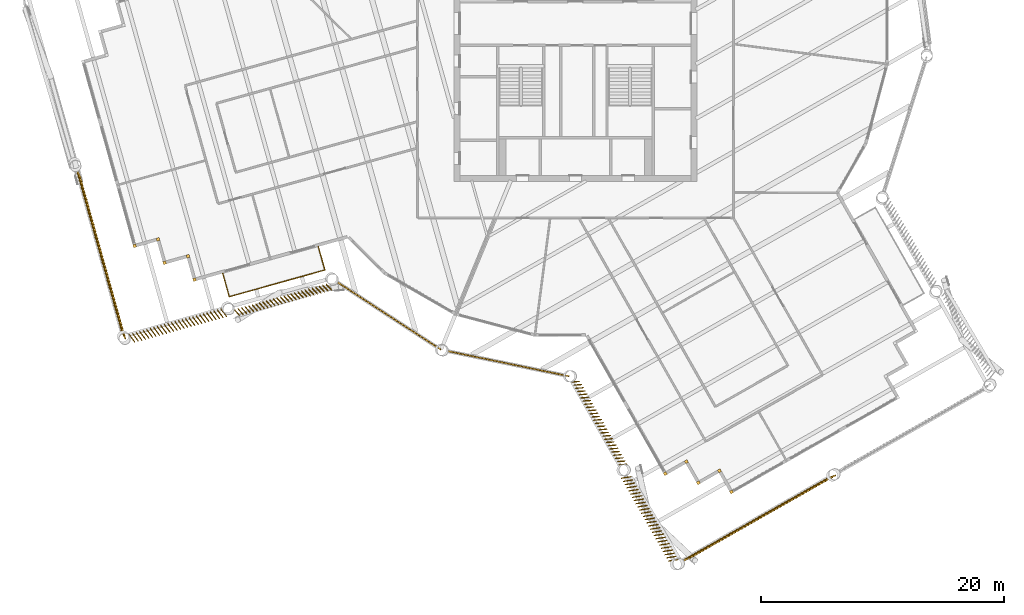
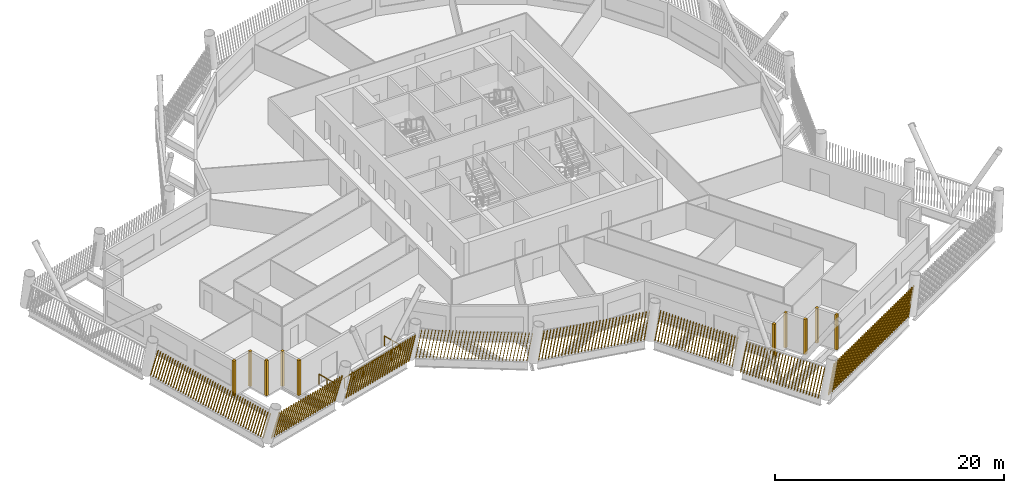
# One storey, part 17 of 21: 18 shading devices, 1 railing.
"""IFC4 building model written with IfcOpenShell, lengths in metres."""

from ifc_helpers import new_model, si_unit, direction, frame, frame_2d, origin, origin_2d, place, context, subcontext, project, spatial, rectangle, circle, composite_profile, extrude, material, type_object, element, save


model = new_model("IFC4")

# Units and contexts
model_context = context("Model", 3, precision=1e-05, world=origin(), true_north=direction((0.0, 1.0)))
body_context = subcontext(model_context, "Body", "Model", "MODEL_VIEW")
ifc_project = project(units=[si_unit("LENGTHUNIT", "METRE"), si_unit("AREAUNIT", "SQUARE_METRE"), si_unit("VOLUMEUNIT", "CUBIC_METRE"), si_unit("PLANEANGLEUNIT", "RADIAN"), si_unit("MASSUNIT", "GRAM", prefix="KILO")], contexts=[model_context])

# Site, building, storey
site_placement = place(None, origin())
site = spatial("IfcSite", under=ifc_project, at=site_placement, CompositionType="ELEMENT")
building_placement = place(site_placement, origin())
building = spatial("IfcBuilding", under=site, at=building_placement, Name="Tarsis Ring Headquarters", CompositionType="ELEMENT")
storey_placement = place(building_placement, frame((0.0, 0.0, 347.0)))
storey = spatial("IfcBuildingStorey", under=building, at=storey_placement, Name="L82", CompositionType="ELEMENT", Elevation=347.0)

# Railing
ifc_material_1 = material(Name="Stainless steel guard", Category="steel")
railing_type = type_object("IfcRailingType", Name="Balcony balustrade with mesh infill 1100", PredefinedType="BALUSTRADE", material=ifc_material_1)
railing_placement = place(storey_placement, frame((-29.038818359375, -20.566650390625, 0.0)))
element("IfcRailing", 1, at=railing_placement, inside=storey, type_object=railing_type, Name="Balcony balustrade L82-01", PredefinedType="BALUSTRADE", context=body_context, shape_type="SweptSolid", body=[
    extrude(circle(Radius=0.030029296875, at=origin_2d()), frame((0.0, 0.0, 1.070068359375), z_axis=(0.268896405565, -0.96316910409, 0.0), x_axis=(0.96316910409, 0.268896405565, 0.0)), (0.0, 0.0, 1.0), 2.000244140625),
    extrude(circle(Radius=0.030029296875, at=origin_2d()), frame((0.537841796875, -1.926513671875, 1.070068359375), z_axis=(0.963157076645, 0.268939483357, 0.0), x_axis=(-0.268939483357, 0.963157076645, 0.0)), (0.0, 0.0, 1.0), 8.171875),
    extrude(circle(Radius=0.030029296875, at=origin_2d()), frame((8.40869140625, 0.271240234375, 1.070068359375), z_axis=(-0.268928021578, 0.96316027701, 0.0), x_axis=(-0.96316027701, -0.268928021578, 0.0)), (0.0, 0.0, 1.0), 2.0),
    extrude(circle(Radius=0.02490234375, at=origin_2d()), origin(), (0.0, 0.0, 1.0), 1.0400390625),
    extrude(circle(Radius=0.02490234375, at=origin_2d()), frame((0.26904296875, -0.96337890625, 0.0)), (0.0, 0.0, 1.0), 1.0400390625),
    extrude(circle(Radius=0.02490234375, at=origin_2d()), frame((0.537841796875, -1.926513671875, 0.0)), (0.0, 0.0, 1.0), 1.0400390625),
    extrude(circle(Radius=0.02490234375, at=origin_2d()), frame((1.662353515625, -1.612548828125, 0.0)), (0.0, 0.0, 1.0), 1.0400390625),
    extrude(circle(Radius=0.02490234375, at=origin_2d()), frame((2.78662109375, -1.298583984375, 0.0)), (0.0, 0.0, 1.0), 1.0400390625),
    extrude(circle(Radius=0.02490234375, at=origin_2d()), frame((3.9111328125, -0.984619140625, 0.0)), (0.0, 0.0, 1.0), 1.0400390625),
    extrude(circle(Radius=0.02490234375, at=origin_2d()), frame((5.035400390625, -0.670654296875, 0.0)), (0.0, 0.0, 1.0), 1.0400390625),
    extrude(circle(Radius=0.02490234375, at=origin_2d()), frame((6.159912109375, -0.356689453125, 0.0)), (0.0, 0.0, 1.0), 1.0400390625),
    extrude(circle(Radius=0.02490234375, at=origin_2d()), frame((7.2841796875, -0.042724609375, 0.0)), (0.0, 0.0, 1.0), 1.0400390625),
    extrude(circle(Radius=0.02490234375, at=origin_2d()), frame((8.40869140625, 0.271240234375, 0.0)), (0.0, 0.0, 1.0), 1.0400390625),
    extrude(circle(Radius=0.02490234375, at=origin_2d()), frame((8.1396484375, 1.234375, 0.0)), (0.0, 0.0, 1.0), 1.0400390625),
    extrude(circle(Radius=0.02490234375, at=origin_2d()), frame((7.870849609375, 2.197509765625, 0.0)), (0.0, 0.0, 1.0), 1.0400390625),
])

# Shading devices
ifc_material_2 = material(Name="Terracotta baguette", Category="masonry")
shading_device_type_1 = type_object("IfcShadingDeviceType", Name="Terracotta baguette screen", PredefinedType="USERDEFINED", material=ifc_material_2)
shading_device_1_placement = place(storey_placement, frame((-10.579833984375, -26.958251953125, 0.0), z_axis=(0.0, 0.0, 1.0), x_axis=(0.979163023111, -0.203048094941, 0.0)))
element("IfcShadingDevice", 2, at=shading_device_1_placement, inside=storey, type_object=shading_device_type_1, Name="Baguette screen L82-00", ObjectType="Terracotta baguette screen", PredefinedType="USERDEFINED", context=body_context, shape_type="SweptSolid", body=[
    extrude(composite_profile([rectangle(XDim=0.06005859375, YDim=0.1201171875, at=frame_2d((0.030029296875, 0.0))), rectangle(XDim=0.06005859375, YDim=0.1201171875, at=frame_2d((0.33349609375, 0.0))), rectangle(XDim=0.06005859375, YDim=0.1201171875, at=frame_2d((0.636962890625, 0.0))), rectangle(XDim=0.06005859375, YDim=0.1201171875, at=frame_2d((0.9404296875, 0.0))), rectangle(XDim=0.06005859375, YDim=0.1201171875, at=frame_2d((1.243896484375, 0.0))), rectangle(XDim=0.06005859375, YDim=0.1201171875, at=frame_2d((1.54736328125, 0.0))), rectangle(XDim=0.06005859375, YDim=0.1201171875, at=frame_2d((1.85107421875, 0.0))), rectangle(XDim=0.06005859375, YDim=0.1201171875, at=frame_2d((2.154541015625, 0.0))), rectangle(XDim=0.06005859375, YDim=0.1201171875, at=frame_2d((2.4580078125, 0.0))), rectangle(XDim=0.06005859375, YDim=0.1201171875, at=frame_2d((2.761474609375, 0.0))), rectangle(XDim=0.06005859375, YDim=0.1201171875, at=frame_2d((3.06494140625, 0.0))), rectangle(XDim=0.06005859375, YDim=0.1201171875, at=frame_2d((3.368408203125, 0.0))), rectangle(XDim=0.06005859375, YDim=0.1201171875, at=frame_2d((3.671875, 0.0))), rectangle(XDim=0.06005859375, YDim=0.1201171875, at=frame_2d((3.975341796875, 0.0))), rectangle(XDim=0.06005859375, YDim=0.1201171875, at=frame_2d((4.27880859375, 0.0))), rectangle(XDim=0.06005859375, YDim=0.1201171875, at=frame_2d((4.582275390625, 0.0))), rectangle(XDim=0.06005859375, YDim=0.1201171875, at=frame_2d((4.8857421875, 0.0))), rectangle(XDim=0.06005859375, YDim=0.1201171875, at=frame_2d((5.189453125, 0.0))), rectangle(XDim=0.06005859375, YDim=0.1201171875, at=frame_2d((5.492919921875, 0.0))), rectangle(XDim=0.06005859375, YDim=0.1201171875, at=frame_2d((5.79638671875, 0.0))), rectangle(XDim=0.06005859375, YDim=0.1201171875, at=frame_2d((6.099853515625, 0.0))), rectangle(XDim=0.06005859375, YDim=0.1201171875, at=frame_2d((6.4033203125, 0.0))), rectangle(XDim=0.06005859375, YDim=0.1201171875, at=frame_2d((6.706787109375, 0.0))), rectangle(XDim=0.06005859375, YDim=0.1201171875, at=frame_2d((7.01025390625, 0.0))), rectangle(XDim=0.06005859375, YDim=0.1201171875, at=frame_2d((7.313720703125, 0.0))), rectangle(XDim=0.06005859375, YDim=0.1201171875, at=frame_2d((7.6171875, 0.0))), rectangle(XDim=0.06005859375, YDim=0.1201171875, at=frame_2d((7.920654296875, 0.0))), rectangle(XDim=0.06005859375, YDim=0.1201171875, at=frame_2d((8.224365234375, 0.0))), rectangle(XDim=0.06005859375, YDim=0.1201171875, at=frame_2d((8.52783203125, 0.0))), rectangle(XDim=0.06005859375, YDim=0.1201171875, at=frame_2d((8.831298828125, 0.0))), rectangle(XDim=0.06005859375, YDim=0.1201171875, at=frame_2d((9.134765625, 0.0))), rectangle(XDim=0.06005859375, YDim=0.1201171875, at=frame_2d((9.438232421875, 0.0))), rectangle(XDim=0.06005859375, YDim=0.1201171875, at=frame_2d((9.74169921875, 0.0)))]), origin(), (0.171973713717, 0.001561772353, 0.985100300811), 3.0126953125),
])
shading_device_2_placement = place(storey_placement, frame((-0.275146484375, -29.478515625, 0.0), z_axis=(0.0, 0.0, 1.0), x_axis=(0.493913741967, -0.869500741473, 0.0)))
element("IfcShadingDevice", 3, at=shading_device_2_placement, inside=storey, type_object=shading_device_type_1, Name="Baguette screen L82-01", ObjectType="Terracotta baguette screen", PredefinedType="USERDEFINED", context=body_context, shape_type="SweptSolid", body=[
    extrude(composite_profile([rectangle(XDim=0.06005859375, YDim=0.1201171875, at=frame_2d((0.030029296875, 0.0))), rectangle(XDim=0.06005859375, YDim=0.1201171875, at=frame_2d((0.33154296875, 0.0))), rectangle(XDim=0.06005859375, YDim=0.1201171875, at=frame_2d((0.63330078125, 0.0))), rectangle(XDim=0.06005859375, YDim=0.1201171875, at=frame_2d((0.934814453125, 0.0))), rectangle(XDim=0.06005859375, YDim=0.1201171875, at=frame_2d((1.236572265625, 0.0))), rectangle(XDim=0.06005859375, YDim=0.1201171875, at=frame_2d((1.5380859375, 0.0))), rectangle(XDim=0.06005859375, YDim=0.1201171875, at=frame_2d((1.83984375, 0.0))), rectangle(XDim=0.06005859375, YDim=0.1201171875, at=frame_2d((2.141357421875, 0.0))), rectangle(XDim=0.06005859375, YDim=0.1201171875, at=frame_2d((2.443115234375, 0.0))), rectangle(XDim=0.06005859375, YDim=0.1201171875, at=frame_2d((2.74462890625, 0.0))), rectangle(XDim=0.06005859375, YDim=0.1201171875, at=frame_2d((3.04638671875, 0.0))), rectangle(XDim=0.06005859375, YDim=0.1201171875, at=frame_2d((3.347900390625, 0.0))), rectangle(XDim=0.06005859375, YDim=0.1201171875, at=frame_2d((3.649658203125, 0.0))), rectangle(XDim=0.06005859375, YDim=0.1201171875, at=frame_2d((3.951171875, 0.0))), rectangle(XDim=0.06005859375, YDim=0.1201171875, at=frame_2d((4.252685546875, 0.0))), rectangle(XDim=0.06005859375, YDim=0.1201171875, at=frame_2d((4.554443359375, 0.0))), rectangle(XDim=0.06005859375, YDim=0.1201171875, at=frame_2d((4.85595703125, 0.0))), rectangle(XDim=0.06005859375, YDim=0.1201171875, at=frame_2d((5.15771484375, 0.0))), rectangle(XDim=0.06005859375, YDim=0.1201171875, at=frame_2d((5.459228515625, 0.0))), rectangle(XDim=0.06005859375, YDim=0.1201171875, at=frame_2d((5.760986328125, 0.0))), rectangle(XDim=0.06005859375, YDim=0.1201171875, at=frame_2d((6.0625, 0.0))), rectangle(XDim=0.06005859375, YDim=0.1201171875, at=frame_2d((6.3642578125, 0.0))), rectangle(XDim=0.06005859375, YDim=0.1201171875, at=frame_2d((6.665771484375, 0.0))), rectangle(XDim=0.06005859375, YDim=0.1201171875, at=frame_2d((6.967529296875, 0.0))), rectangle(XDim=0.06005859375, YDim=0.1201171875, at=frame_2d((7.26904296875, 0.0))), rectangle(XDim=0.06005859375, YDim=0.1201171875, at=frame_2d((7.57080078125, 0.0))), rectangle(XDim=0.06005859375, YDim=0.1201171875, at=frame_2d((7.872314453125, 0.0)))]), origin(), (0.087122178129, 0.177346482745, 0.980284627614), 3.02734375),
])
shading_device_3_placement = place(storey_placement, frame((3.7958984375, -37.404296875, 0.0), z_axis=(0.0, 0.0, 1.0), x_axis=(0.493959897426, -0.869496709612, 0.0)))
element("IfcShadingDevice", 4, at=shading_device_3_placement, inside=storey, type_object=shading_device_type_1, Name="Baguette screen L82-02", ObjectType="Terracotta baguette screen", PredefinedType="USERDEFINED", context=body_context, shape_type="SweptSolid", body=[
    extrude(composite_profile([rectangle(XDim=0.06005859375, YDim=0.1201171875, at=frame_2d((0.030029296875, 0.0))), rectangle(XDim=0.06005859375, YDim=0.1201171875, at=frame_2d((0.33154296875, 0.0))), rectangle(XDim=0.06005859375, YDim=0.1201171875, at=frame_2d((0.63330078125, 0.0))), rectangle(XDim=0.06005859375, YDim=0.1201171875, at=frame_2d((0.934814453125, 0.0))), rectangle(XDim=0.06005859375, YDim=0.1201171875, at=frame_2d((1.236572265625, 0.0))), rectangle(XDim=0.06005859375, YDim=0.1201171875, at=frame_2d((1.5380859375, 0.0))), rectangle(XDim=0.06005859375, YDim=0.1201171875, at=frame_2d((1.83984375, 0.0))), rectangle(XDim=0.06005859375, YDim=0.1201171875, at=frame_2d((2.141357421875, 0.0))), rectangle(XDim=0.06005859375, YDim=0.1201171875, at=frame_2d((2.443115234375, 0.0))), rectangle(XDim=0.06005859375, YDim=0.1201171875, at=frame_2d((2.74462890625, 0.0))), rectangle(XDim=0.06005859375, YDim=0.1201171875, at=frame_2d((3.04638671875, 0.0))), rectangle(XDim=0.06005859375, YDim=0.1201171875, at=frame_2d((3.347900390625, 0.0))), rectangle(XDim=0.06005859375, YDim=0.1201171875, at=frame_2d((3.649658203125, 0.0))), rectangle(XDim=0.06005859375, YDim=0.1201171875, at=frame_2d((3.951171875, 0.0))), rectangle(XDim=0.06005859375, YDim=0.1201171875, at=frame_2d((4.252685546875, 0.0))), rectangle(XDim=0.06005859375, YDim=0.1201171875, at=frame_2d((4.554443359375, 0.0))), rectangle(XDim=0.06005859375, YDim=0.1201171875, at=frame_2d((4.85595703125, 0.0))), rectangle(XDim=0.06005859375, YDim=0.1201171875, at=frame_2d((5.15771484375, 0.0))), rectangle(XDim=0.06005859375, YDim=0.1201171875, at=frame_2d((5.459228515625, 0.0))), rectangle(XDim=0.06005859375, YDim=0.1201171875, at=frame_2d((5.760986328125, 0.0))), rectangle(XDim=0.06005859375, YDim=0.1201171875, at=frame_2d((6.0625, 0.0))), rectangle(XDim=0.06005859375, YDim=0.1201171875, at=frame_2d((6.3642578125, 0.0))), rectangle(XDim=0.06005859375, YDim=0.1201171875, at=frame_2d((6.665771484375, 0.0))), rectangle(XDim=0.06005859375, YDim=0.1201171875, at=frame_2d((6.967529296875, 0.0))), rectangle(XDim=0.06005859375, YDim=0.1201171875, at=frame_2d((7.26904296875, 0.0))), rectangle(XDim=0.06005859375, YDim=0.1201171875, at=frame_2d((7.57080078125, 0.0))), rectangle(XDim=0.06005859375, YDim=0.1201171875, at=frame_2d((7.872314453125, 0.0)))]), origin(), (0.087929744823, 0.228230198113, 0.969628452885), 3.060791015625),
])
shading_device_4_placement = place(storey_placement, frame((8.70703125, -44.27783203125, 0.0), z_axis=(0.0, 0.0, 1.0), x_axis=(0.869491375498, 0.493940734188, 0.0)))
element("IfcShadingDevice", 5, at=shading_device_4_placement, inside=storey, type_object=shading_device_type_1, Name="Baguette screen L82-03", ObjectType="Terracotta baguette screen", PredefinedType="USERDEFINED", context=body_context, shape_type="SweptSolid", body=[
    extrude(composite_profile([rectangle(XDim=0.06005859375, YDim=0.1201171875, at=frame_2d((0.030029296875, 0.0))), rectangle(XDim=0.06005859375, YDim=0.1201171875, at=frame_2d((0.33544921875, 0.0))), rectangle(XDim=0.06005859375, YDim=0.1201171875, at=frame_2d((0.640625, 0.0))), rectangle(XDim=0.06005859375, YDim=0.1201171875, at=frame_2d((0.946044921875, 0.0))), rectangle(XDim=0.06005859375, YDim=0.1201171875, at=frame_2d((1.25146484375, 0.0))), rectangle(XDim=0.06005859375, YDim=0.1201171875, at=frame_2d((1.556640625, 0.0))), rectangle(XDim=0.06005859375, YDim=0.1201171875, at=frame_2d((1.862060546875, 0.0))), rectangle(XDim=0.06005859375, YDim=0.1201171875, at=frame_2d((2.16748046875, 0.0))), rectangle(XDim=0.06005859375, YDim=0.1201171875, at=frame_2d((2.47265625, 0.0))), rectangle(XDim=0.06005859375, YDim=0.1201171875, at=frame_2d((2.778076171875, 0.0))), rectangle(XDim=0.06005859375, YDim=0.1201171875, at=frame_2d((3.08349609375, 0.0))), rectangle(XDim=0.06005859375, YDim=0.1201171875, at=frame_2d((3.388671875, 0.0))), rectangle(XDim=0.06005859375, YDim=0.1201171875, at=frame_2d((3.694091796875, 0.0))), rectangle(XDim=0.06005859375, YDim=0.1201171875, at=frame_2d((3.99951171875, 0.0))), rectangle(XDim=0.06005859375, YDim=0.1201171875, at=frame_2d((4.3046875, 0.0))), rectangle(XDim=0.06005859375, YDim=0.1201171875, at=frame_2d((4.610107421875, 0.0))), rectangle(XDim=0.06005859375, YDim=0.1201171875, at=frame_2d((4.91552734375, 0.0))), rectangle(XDim=0.06005859375, YDim=0.1201171875, at=frame_2d((5.220703125, 0.0))), rectangle(XDim=0.06005859375, YDim=0.1201171875, at=frame_2d((5.526123046875, 0.0))), rectangle(XDim=0.06005859375, YDim=0.1201171875, at=frame_2d((5.83154296875, 0.0))), rectangle(XDim=0.06005859375, YDim=0.1201171875, at=frame_2d((6.13671875, 0.0))), rectangle(XDim=0.06005859375, YDim=0.1201171875, at=frame_2d((6.442138671875, 0.0))), rectangle(XDim=0.06005859375, YDim=0.1201171875, at=frame_2d((6.74755859375, 0.0))), rectangle(XDim=0.06005859375, YDim=0.1201171875, at=frame_2d((7.052734375, 0.0))), rectangle(XDim=0.06005859375, YDim=0.1201171875, at=frame_2d((7.358154296875, 0.0))), rectangle(XDim=0.06005859375, YDim=0.1201171875, at=frame_2d((7.66357421875, 0.0))), rectangle(XDim=0.06005859375, YDim=0.1201171875, at=frame_2d((7.96875, 0.0))), rectangle(XDim=0.06005859375, YDim=0.1201171875, at=frame_2d((8.274169921875, 0.0))), rectangle(XDim=0.06005859375, YDim=0.1201171875, at=frame_2d((8.57958984375, 0.0))), rectangle(XDim=0.06005859375, YDim=0.1201171875, at=frame_2d((8.884765625, 0.0))), rectangle(XDim=0.06005859375, YDim=0.1201171875, at=frame_2d((9.190185546875, 0.0))), rectangle(XDim=0.06005859375, YDim=0.1201171875, at=frame_2d((9.49560546875, 0.0))), rectangle(XDim=0.06005859375, YDim=0.1201171875, at=frame_2d((9.80078125, 0.0))), rectangle(XDim=0.06005859375, YDim=0.1201171875, at=frame_2d((10.106201171875, 0.0))), rectangle(XDim=0.06005859375, YDim=0.1201171875, at=frame_2d((10.41162109375, 0.0))), rectangle(XDim=0.06005859375, YDim=0.1201171875, at=frame_2d((10.716796875, 0.0))), rectangle(XDim=0.06005859375, YDim=0.1201171875, at=frame_2d((11.022216796875, 0.0))), rectangle(XDim=0.06005859375, YDim=0.1201171875, at=frame_2d((11.32763671875, 0.0))), rectangle(XDim=0.06005859375, YDim=0.1201171875, at=frame_2d((11.6328125, 0.0))), rectangle(XDim=0.06005859375, YDim=0.1201171875, at=frame_2d((11.938232421875, 0.0))), rectangle(XDim=0.06005859375, YDim=0.1201171875, at=frame_2d((12.24365234375, 0.0))), rectangle(XDim=0.06005859375, YDim=0.1201171875, at=frame_2d((12.548828125, 0.0))), rectangle(XDim=0.06005859375, YDim=0.1201171875, at=frame_2d((12.854248046875, 0.0))), rectangle(XDim=0.06005859375, YDim=0.1201171875, at=frame_2d((13.15966796875, 0.0))), rectangle(XDim=0.06005859375, YDim=0.1201171875, at=frame_2d((13.46484375, 0.0))), rectangle(XDim=0.06005859375, YDim=0.1201171875, at=frame_2d((13.770263671875, 0.0)))]), origin(), (0.253379486759, -0.041444047388, 0.966478777121), 3.07080078125),
])
shading_device_5_placement = place(storey_placement, frame((-41.0888671875, -11.991455078125, 0.0), z_axis=(0.0, 0.0, 1.0), x_axis=(0.26893001203, -0.963166088741, 0.0)))
element("IfcShadingDevice", 6, at=shading_device_5_placement, inside=storey, type_object=shading_device_type_1, Name="Baguette screen L82-18", ObjectType="Terracotta baguette screen", PredefinedType="USERDEFINED", context=body_context, shape_type="SweptSolid", body=[
    extrude(composite_profile([rectangle(XDim=0.06005859375, YDim=0.1201171875, at=frame_2d((0.030029296875, 0.0))), rectangle(XDim=0.06005859375, YDim=0.1201171875, at=frame_2d((0.33544921875, 0.0))), rectangle(XDim=0.06005859375, YDim=0.1201171875, at=frame_2d((0.640625, 0.0))), rectangle(XDim=0.06005859375, YDim=0.1201171875, at=frame_2d((0.946044921875, 0.0))), rectangle(XDim=0.06005859375, YDim=0.1201171875, at=frame_2d((1.25146484375, 0.0))), rectangle(XDim=0.06005859375, YDim=0.1201171875, at=frame_2d((1.556640625, 0.0))), rectangle(XDim=0.06005859375, YDim=0.1201171875, at=frame_2d((1.862060546875, 0.0))), rectangle(XDim=0.06005859375, YDim=0.1201171875, at=frame_2d((2.16748046875, 0.0))), rectangle(XDim=0.06005859375, YDim=0.1201171875, at=frame_2d((2.47265625, 0.0))), rectangle(XDim=0.06005859375, YDim=0.1201171875, at=frame_2d((2.778076171875, 0.0))), rectangle(XDim=0.06005859375, YDim=0.1201171875, at=frame_2d((3.08349609375, 0.0))), rectangle(XDim=0.06005859375, YDim=0.1201171875, at=frame_2d((3.388671875, 0.0))), rectangle(XDim=0.06005859375, YDim=0.1201171875, at=frame_2d((3.694091796875, 0.0))), rectangle(XDim=0.06005859375, YDim=0.1201171875, at=frame_2d((3.99951171875, 0.0))), rectangle(XDim=0.06005859375, YDim=0.1201171875, at=frame_2d((4.3046875, 0.0))), rectangle(XDim=0.06005859375, YDim=0.1201171875, at=frame_2d((4.610107421875, 0.0))), rectangle(XDim=0.06005859375, YDim=0.1201171875, at=frame_2d((4.91552734375, 0.0))), rectangle(XDim=0.06005859375, YDim=0.1201171875, at=frame_2d((5.220703125, 0.0))), rectangle(XDim=0.06005859375, YDim=0.1201171875, at=frame_2d((5.526123046875, 0.0))), rectangle(XDim=0.06005859375, YDim=0.1201171875, at=frame_2d((5.83154296875, 0.0))), rectangle(XDim=0.06005859375, YDim=0.1201171875, at=frame_2d((6.13671875, 0.0))), rectangle(XDim=0.06005859375, YDim=0.1201171875, at=frame_2d((6.442138671875, 0.0))), rectangle(XDim=0.06005859375, YDim=0.1201171875, at=frame_2d((6.74755859375, 0.0))), rectangle(XDim=0.06005859375, YDim=0.1201171875, at=frame_2d((7.052734375, 0.0))), rectangle(XDim=0.06005859375, YDim=0.1201171875, at=frame_2d((7.358154296875, 0.0))), rectangle(XDim=0.06005859375, YDim=0.1201171875, at=frame_2d((7.66357421875, 0.0))), rectangle(XDim=0.06005859375, YDim=0.1201171875, at=frame_2d((7.96875, 0.0))), rectangle(XDim=0.06005859375, YDim=0.1201171875, at=frame_2d((8.274169921875, 0.0))), rectangle(XDim=0.06005859375, YDim=0.1201171875, at=frame_2d((8.57958984375, 0.0))), rectangle(XDim=0.06005859375, YDim=0.1201171875, at=frame_2d((8.884765625, 0.0))), rectangle(XDim=0.06005859375, YDim=0.1201171875, at=frame_2d((9.190185546875, 0.0))), rectangle(XDim=0.06005859375, YDim=0.1201171875, at=frame_2d((9.49560546875, 0.0))), rectangle(XDim=0.06005859375, YDim=0.1201171875, at=frame_2d((9.80078125, 0.0))), rectangle(XDim=0.06005859375, YDim=0.1201171875, at=frame_2d((10.106201171875, 0.0))), rectangle(XDim=0.06005859375, YDim=0.1201171875, at=frame_2d((10.41162109375, 0.0))), rectangle(XDim=0.06005859375, YDim=0.1201171875, at=frame_2d((10.716796875, 0.0))), rectangle(XDim=0.06005859375, YDim=0.1201171875, at=frame_2d((11.022216796875, 0.0))), rectangle(XDim=0.06005859375, YDim=0.1201171875, at=frame_2d((11.32763671875, 0.0))), rectangle(XDim=0.06005859375, YDim=0.1201171875, at=frame_2d((11.6328125, 0.0))), rectangle(XDim=0.06005859375, YDim=0.1201171875, at=frame_2d((11.938232421875, 0.0))), rectangle(XDim=0.06005859375, YDim=0.1201171875, at=frame_2d((12.24365234375, 0.0))), rectangle(XDim=0.06005859375, YDim=0.1201171875, at=frame_2d((12.548828125, 0.0))), rectangle(XDim=0.06005859375, YDim=0.1201171875, at=frame_2d((12.854248046875, 0.0))), rectangle(XDim=0.06005859375, YDim=0.1201171875, at=frame_2d((13.15966796875, 0.0))), rectangle(XDim=0.06005859375, YDim=0.1201171875, at=frame_2d((13.46484375, 0.0))), rectangle(XDim=0.06005859375, YDim=0.1201171875, at=frame_2d((13.770263671875, 0.0)))]), origin(), (0.252588278044, 0.04603401529, 0.966478158693), 3.07080078125),
])
shading_device_6_placement = place(storey_placement, frame((-36.76171875, -25.630126953125, 0.0), z_axis=(0.0, 0.0, 1.0), x_axis=(0.963172366917, 0.268915871103, 0.0)))
element("IfcShadingDevice", 7, at=shading_device_6_placement, inside=storey, type_object=shading_device_type_1, Name="Baguette screen L82-19", ObjectType="Terracotta baguette screen", PredefinedType="USERDEFINED", context=body_context, shape_type="SweptSolid", body=[
    extrude(composite_profile([rectangle(XDim=0.06005859375, YDim=0.1201171875, at=frame_2d((0.030029296875, 0.0))), rectangle(XDim=0.06005859375, YDim=0.1201171875, at=frame_2d((0.33154296875, 0.0))), rectangle(XDim=0.06005859375, YDim=0.1201171875, at=frame_2d((0.63330078125, 0.0))), rectangle(XDim=0.06005859375, YDim=0.1201171875, at=frame_2d((0.934814453125, 0.0))), rectangle(XDim=0.06005859375, YDim=0.1201171875, at=frame_2d((1.236572265625, 0.0))), rectangle(XDim=0.06005859375, YDim=0.1201171875, at=frame_2d((1.5380859375, 0.0))), rectangle(XDim=0.06005859375, YDim=0.1201171875, at=frame_2d((1.83984375, 0.0))), rectangle(XDim=0.06005859375, YDim=0.1201171875, at=frame_2d((2.141357421875, 0.0))), rectangle(XDim=0.06005859375, YDim=0.1201171875, at=frame_2d((2.443115234375, 0.0))), rectangle(XDim=0.06005859375, YDim=0.1201171875, at=frame_2d((2.74462890625, 0.0))), rectangle(XDim=0.06005859375, YDim=0.1201171875, at=frame_2d((3.04638671875, 0.0))), rectangle(XDim=0.06005859375, YDim=0.1201171875, at=frame_2d((3.347900390625, 0.0))), rectangle(XDim=0.06005859375, YDim=0.1201171875, at=frame_2d((3.649658203125, 0.0))), rectangle(XDim=0.06005859375, YDim=0.1201171875, at=frame_2d((3.951171875, 0.0))), rectangle(XDim=0.06005859375, YDim=0.1201171875, at=frame_2d((4.252685546875, 0.0))), rectangle(XDim=0.06005859375, YDim=0.1201171875, at=frame_2d((4.554443359375, 0.0))), rectangle(XDim=0.06005859375, YDim=0.1201171875, at=frame_2d((4.85595703125, 0.0))), rectangle(XDim=0.06005859375, YDim=0.1201171875, at=frame_2d((5.15771484375, 0.0))), rectangle(XDim=0.06005859375, YDim=0.1201171875, at=frame_2d((5.459228515625, 0.0))), rectangle(XDim=0.06005859375, YDim=0.1201171875, at=frame_2d((5.760986328125, 0.0))), rectangle(XDim=0.06005859375, YDim=0.1201171875, at=frame_2d((6.0625, 0.0))), rectangle(XDim=0.06005859375, YDim=0.1201171875, at=frame_2d((6.3642578125, 0.0))), rectangle(XDim=0.06005859375, YDim=0.1201171875, at=frame_2d((6.665771484375, 0.0))), rectangle(XDim=0.06005859375, YDim=0.1201171875, at=frame_2d((6.967529296875, 0.0))), rectangle(XDim=0.06005859375, YDim=0.1201171875, at=frame_2d((7.26904296875, 0.0))), rectangle(XDim=0.06005859375, YDim=0.1201171875, at=frame_2d((7.57080078125, 0.0))), rectangle(XDim=0.06005859375, YDim=0.1201171875, at=frame_2d((7.872314453125, 0.0)))]), origin(), (0.089849320282, -0.226662036564, 0.969820303368), 3.06005859375),
])
shading_device_7_placement = place(storey_placement, frame((-28.086669921875, -23.597412109375, 0.0), z_axis=(0.0, 0.0, 1.0), x_axis=(0.963142609985, 0.268938457736, 0.0)))
element("IfcShadingDevice", 8, at=shading_device_7_placement, inside=storey, type_object=shading_device_type_1, Name="Baguette screen L82-20", ObjectType="Terracotta baguette screen", PredefinedType="USERDEFINED", context=body_context, shape_type="SweptSolid", body=[
    extrude(composite_profile([rectangle(XDim=0.06005859375, YDim=0.1201171875, at=frame_2d((0.030029296875, 0.0))), rectangle(XDim=0.06005859375, YDim=0.1201171875, at=frame_2d((0.33154296875, 0.0))), rectangle(XDim=0.06005859375, YDim=0.1201171875, at=frame_2d((0.63330078125, 0.0))), rectangle(XDim=0.06005859375, YDim=0.1201171875, at=frame_2d((0.934814453125, 0.0))), rectangle(XDim=0.06005859375, YDim=0.1201171875, at=frame_2d((1.236572265625, 0.0))), rectangle(XDim=0.06005859375, YDim=0.1201171875, at=frame_2d((1.5380859375, 0.0))), rectangle(XDim=0.06005859375, YDim=0.1201171875, at=frame_2d((1.83984375, 0.0))), rectangle(XDim=0.06005859375, YDim=0.1201171875, at=frame_2d((2.141357421875, 0.0))), rectangle(XDim=0.06005859375, YDim=0.1201171875, at=frame_2d((2.443115234375, 0.0))), rectangle(XDim=0.06005859375, YDim=0.1201171875, at=frame_2d((2.74462890625, 0.0))), rectangle(XDim=0.06005859375, YDim=0.1201171875, at=frame_2d((3.04638671875, 0.0))), rectangle(XDim=0.06005859375, YDim=0.1201171875, at=frame_2d((3.347900390625, 0.0))), rectangle(XDim=0.06005859375, YDim=0.1201171875, at=frame_2d((3.649658203125, 0.0))), rectangle(XDim=0.06005859375, YDim=0.1201171875, at=frame_2d((3.951171875, 0.0))), rectangle(XDim=0.06005859375, YDim=0.1201171875, at=frame_2d((4.252685546875, 0.0))), rectangle(XDim=0.06005859375, YDim=0.1201171875, at=frame_2d((4.554443359375, 0.0))), rectangle(XDim=0.06005859375, YDim=0.1201171875, at=frame_2d((4.85595703125, 0.0))), rectangle(XDim=0.06005859375, YDim=0.1201171875, at=frame_2d((5.15771484375, 0.0))), rectangle(XDim=0.06005859375, YDim=0.1201171875, at=frame_2d((5.459228515625, 0.0))), rectangle(XDim=0.06005859375, YDim=0.1201171875, at=frame_2d((5.760986328125, 0.0))), rectangle(XDim=0.06005859375, YDim=0.1201171875, at=frame_2d((6.0625, 0.0))), rectangle(XDim=0.06005859375, YDim=0.1201171875, at=frame_2d((6.3642578125, 0.0))), rectangle(XDim=0.06005859375, YDim=0.1201171875, at=frame_2d((6.665771484375, 0.0))), rectangle(XDim=0.06005859375, YDim=0.1201171875, at=frame_2d((6.967529296875, 0.0))), rectangle(XDim=0.06005859375, YDim=0.1201171875, at=frame_2d((7.26904296875, 0.0))), rectangle(XDim=0.06005859375, YDim=0.1201171875, at=frame_2d((7.57080078125, 0.0))), rectangle(XDim=0.06005859375, YDim=0.1201171875, at=frame_2d((7.872314453125, 0.0)))]), origin(), (0.092556413203, -0.175678869755, 0.980086855894), 3.028076171875),
])
shading_device_8_placement = place(storey_placement, frame((-19.67578125, -21.24951171875, 0.0), z_axis=(0.0, 0.0, 1.0), x_axis=(0.837851342911, -0.545883822611, 0.0)))
element("IfcShadingDevice", 9, at=shading_device_8_placement, inside=storey, type_object=shading_device_type_1, Name="Baguette screen L82-21", ObjectType="Terracotta baguette screen", PredefinedType="USERDEFINED", context=body_context, shape_type="SweptSolid", body=[
    extrude(composite_profile([rectangle(XDim=0.06005859375, YDim=0.1201171875, at=frame_2d((0.030029296875, 0.0))), rectangle(XDim=0.06005859375, YDim=0.1201171875, at=frame_2d((0.33349609375, 0.0))), rectangle(XDim=0.06005859375, YDim=0.1201171875, at=frame_2d((0.636962890625, 0.0))), rectangle(XDim=0.06005859375, YDim=0.1201171875, at=frame_2d((0.9404296875, 0.0))), rectangle(XDim=0.06005859375, YDim=0.1201171875, at=frame_2d((1.243896484375, 0.0))), rectangle(XDim=0.06005859375, YDim=0.1201171875, at=frame_2d((1.54736328125, 0.0))), rectangle(XDim=0.06005859375, YDim=0.1201171875, at=frame_2d((1.85107421875, 0.0))), rectangle(XDim=0.06005859375, YDim=0.1201171875, at=frame_2d((2.154541015625, 0.0))), rectangle(XDim=0.06005859375, YDim=0.1201171875, at=frame_2d((2.4580078125, 0.0))), rectangle(XDim=0.06005859375, YDim=0.1201171875, at=frame_2d((2.761474609375, 0.0))), rectangle(XDim=0.06005859375, YDim=0.1201171875, at=frame_2d((3.06494140625, 0.0))), rectangle(XDim=0.06005859375, YDim=0.1201171875, at=frame_2d((3.368408203125, 0.0))), rectangle(XDim=0.06005859375, YDim=0.1201171875, at=frame_2d((3.671875, 0.0))), rectangle(XDim=0.06005859375, YDim=0.1201171875, at=frame_2d((3.975341796875, 0.0))), rectangle(XDim=0.06005859375, YDim=0.1201171875, at=frame_2d((4.27880859375, 0.0))), rectangle(XDim=0.06005859375, YDim=0.1201171875, at=frame_2d((4.582275390625, 0.0))), rectangle(XDim=0.06005859375, YDim=0.1201171875, at=frame_2d((4.8857421875, 0.0))), rectangle(XDim=0.06005859375, YDim=0.1201171875, at=frame_2d((5.189453125, 0.0))), rectangle(XDim=0.06005859375, YDim=0.1201171875, at=frame_2d((5.492919921875, 0.0))), rectangle(XDim=0.06005859375, YDim=0.1201171875, at=frame_2d((5.79638671875, 0.0))), rectangle(XDim=0.06005859375, YDim=0.1201171875, at=frame_2d((6.099853515625, 0.0))), rectangle(XDim=0.06005859375, YDim=0.1201171875, at=frame_2d((6.4033203125, 0.0))), rectangle(XDim=0.06005859375, YDim=0.1201171875, at=frame_2d((6.706787109375, 0.0))), rectangle(XDim=0.06005859375, YDim=0.1201171875, at=frame_2d((7.01025390625, 0.0))), rectangle(XDim=0.06005859375, YDim=0.1201171875, at=frame_2d((7.313720703125, 0.0))), rectangle(XDim=0.06005859375, YDim=0.1201171875, at=frame_2d((7.6171875, 0.0))), rectangle(XDim=0.06005859375, YDim=0.1201171875, at=frame_2d((7.920654296875, 0.0))), rectangle(XDim=0.06005859375, YDim=0.1201171875, at=frame_2d((8.224365234375, 0.0))), rectangle(XDim=0.06005859375, YDim=0.1201171875, at=frame_2d((8.52783203125, 0.0))), rectangle(XDim=0.06005859375, YDim=0.1201171875, at=frame_2d((8.831298828125, 0.0))), rectangle(XDim=0.06005859375, YDim=0.1201171875, at=frame_2d((9.134765625, 0.0))), rectangle(XDim=0.06005859375, YDim=0.1201171875, at=frame_2d((9.438232421875, 0.0))), rectangle(XDim=0.06005859375, YDim=0.1201171875, at=frame_2d((9.74169921875, 0.0)))]), origin(), (0.17197312068, 0.001562125811, 0.985100403779), 3.0126953125),
])
shading_device_type_2 = type_object("IfcShadingDeviceType", Name="Terracotta corner baguette 250x250", PredefinedType="USERDEFINED", material=ifc_material_2)
for number, where, z_axis, x_axis, name in (
    (10, (-31.360107421875, -21.0849609375, 0.0), (0.0, 0.0, 1.0), (0.268920140012, -0.96316247762, 0.0), "Corner baguette L82-01"),
    (11, (7.39501953125, -37.05859375, 0.0), (0.0, 0.0, 1.0), (0.493941836233, -0.869494946747, 0.0), "Corner baguette L82-07"),
    (12, (9.1337890625, -36.07080078125, 0.0), (0.0, 0.0, 1.0), (0.869494765708, 0.49394215492, 0.0), "Corner baguette L82-08"),
    (13, (10.121826171875, -37.809814453125, 0.0), (0.0, 0.0, 1.0), (0.493942321851, -0.869494670878, 0.0), "Corner baguette L82-09"),
    (14, (11.86083984375, -36.822021484375, 0.0), (0.0, 0.0, 1.0), (0.869494886401, 0.493941942462, 0.0), "Corner baguette L82-10"),
    (15, (12.8486328125, -38.560791015625, 0.0), (0.0, 0.0, 1.0), (0.493941563073, -0.869495101923, 0.0), "Corner baguette L82-11"),
    (16, (-36.288330078125, -18.30810546875, 0.0), (0.0, 0.0, 1.0), (0.268919820615, -0.963162566798, 0.0), "Corner baguette L82-37"),
    (17, (-34.362060546875, -17.770263671875, 0.0), (0.0, 0.0, 1.0), (0.963162646588, 0.268919534839, 0.0), "Corner baguette L82-38"),
    (18, (-33.82421875, -19.696533203125, 0.0), (0.0, 0.0, 1.0), (0.268919534839, -0.963162646588, 0.0), "Corner baguette L82-39"),
    (19, (-31.89794921875, -19.15869140625, 0.0), (0.0, 0.0, 1.0), (0.963162679442, 0.268919417167, 0.0), "Corner baguette L82-40"),
):
    element("IfcShadingDevice", number, at=place(storey_placement, frame(where, z_axis=z_axis, x_axis=x_axis)), inside=storey, type_object=shading_device_type_2, Name=name, ObjectType="Terracotta corner baguette", PredefinedType="USERDEFINED", context=body_context, shape_type="SweptSolid", body=[
        extrude(rectangle(XDim=0.25, YDim=0.25, at=origin_2d()), origin(), (0.0, 0.0, 1.0), 3.739990234375),
    ])

save(model, "model.ifc")
